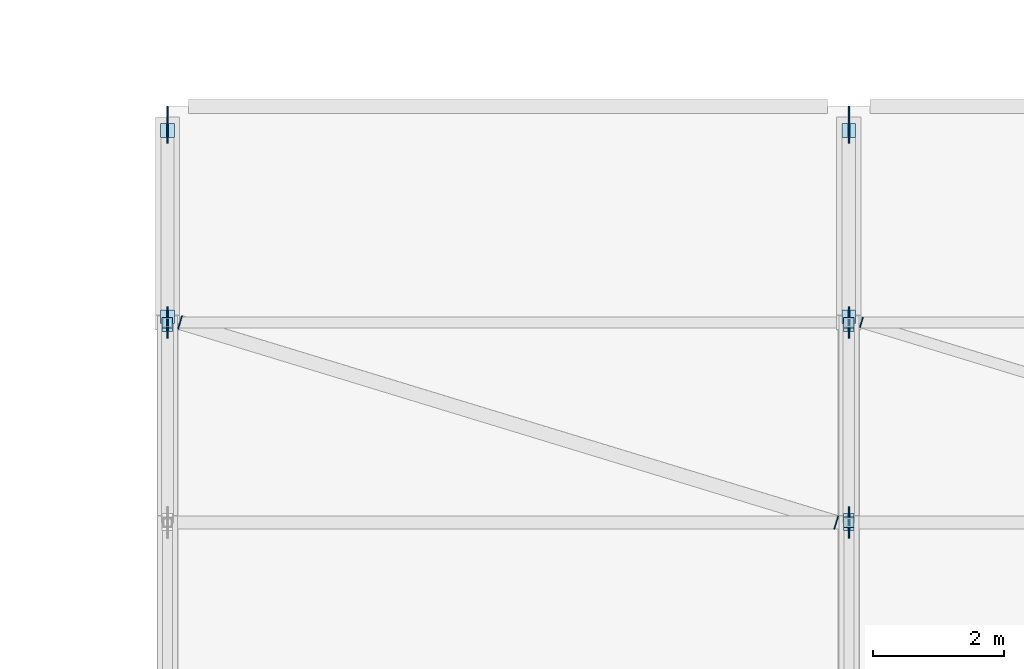
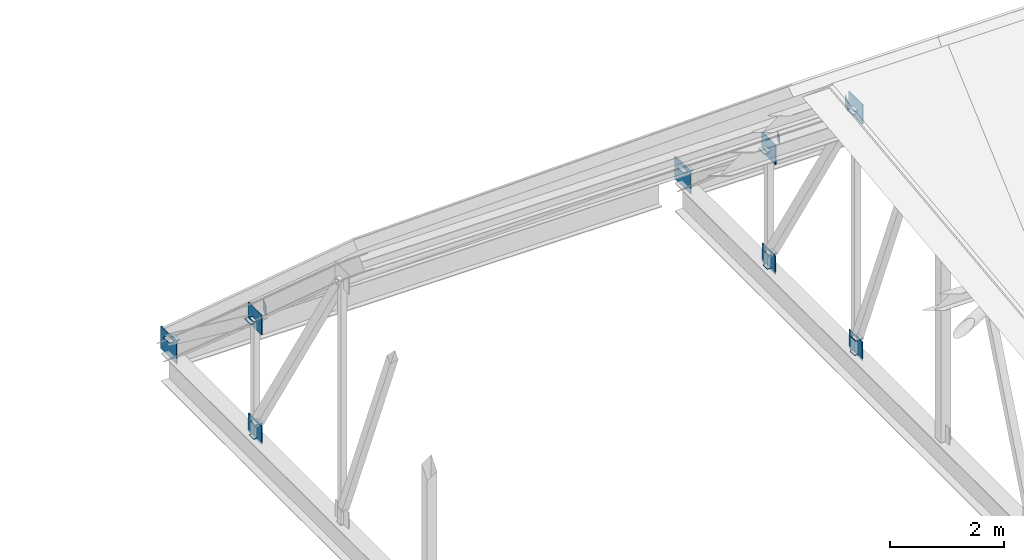
# One storey, part 47 of 86: 25 plates.
"""IFC4 building model written with IfcOpenShell, lengths in metres."""

from ifc_helpers import new_model, si_unit, derived_unit, direction, frame, origin, origin_2d, place, context, subcontext, project, spatial, rectangle, extrude, material, layer, layer_set, type_object, element, save


model = new_model("IFC4")

# Units and contexts
model_context = context("Model", 3, precision=1e-05, world=origin(), true_north=direction((0.0, 1.0)))
body_context = subcontext(model_context, "Body", "Model", "MODEL_VIEW")
ifc_project = project(units=[si_unit("LENGTHUNIT", "METRE"), si_unit("AREAUNIT", "SQUARE_METRE"), si_unit("VOLUMEUNIT", "CUBIC_METRE"), si_unit("PLANEANGLEUNIT", "RADIAN"), si_unit("MASSUNIT", "GRAM", prefix="KILO"), derived_unit("THERMALTRANSMITTANCEUNIT", [(si_unit("POWERUNIT", "WATT"), 1), (si_unit("LENGTHUNIT", "METRE"), -2), (si_unit("THERMODYNAMICTEMPERATUREUNIT", "KELVIN"), -1)])], contexts=[model_context])

# Site, building, storey
site_placement = place(None, origin())
site = spatial("IfcSite", under=ifc_project, at=site_placement, CompositionType="ELEMENT")
building_placement = place(site_placement, origin())
building = spatial("IfcBuilding", under=site, at=building_placement, Name="Braskholm Square Health Centre", CompositionType="ELEMENT")
storey_placement = place(building_placement, frame((0.0, 0.0, 13.5)))
storey = spatial("IfcBuildingStorey", under=building, at=storey_placement, Name="L04", CompositionType="ELEMENT", Elevation=13.5)

# Plates
ifc_material = material(Name="Steel ASTM A572 Grade 50", Category="steel")
ifc_layer_1 = layer(ifc_material, 0.01611328125)
ifc_layer_set_1 = layer_set([ifc_layer_1], Name="Steel ASTM A572 Grade 50")
plate_type_1 = type_object("IfcPlateType", Name="CapPlateHSS152TN8", PredefinedType="USERDEFINED", material=ifc_layer_set_1)
for number, where, z_axis, x_axis, name in (
    (1, (47.60009765625, 103.699951171875, -0.2861328125), (0.0, 0.0, 1.0), (1.0, 0.0, 0.0), "Hollow section end cap plate 0009"),
    (2, (47.60009765625, 103.699951171875, 2.221923828125), (0.0, 0.0, 1.0), (1.0, 0.0, 0.0), "Hollow section end cap plate 0010"),
    (3, (47.60009765625, 103.64111328125, 0.046875), (0.0, 0.0, 1.0), (1.0, 0.0, 0.0), "Hollow section end cap plate 0019"),
    (4, (58.0, 100.64990234375, -0.2861328125), (0.0, 0.0, 1.0), (1.0, 0.0, 0.0), "Hollow section end cap plate 0041"),
    (5, (58.0, 100.64990234375, 4.941162109375), (0.0, 0.0, 1.0), (1.0, 0.0, 0.0), "Hollow section end cap plate 0042"),
    (6, (58.0, 103.699951171875, -0.2861328125), (0.0, 0.0, 1.0), (1.0, 0.0, 0.0), "Hollow section end cap plate 0043"),
    (7, (58.0, 103.699951171875, 2.221923828125), (0.0, 0.0, 1.0), (1.0, 0.0, 0.0), "Hollow section end cap plate 0044"),
    (8, (58.0, 100.60791015625, 0.055908203125), (0.0, 0.0, 1.0), (1.0, 0.0, 0.0), "Hollow section end cap plate 0051"),
    (9, (58.0, 103.64111328125, 0.046875), (0.0, 0.0, 1.0), (1.0, 0.0, 0.0), "Hollow section end cap plate 0053"),
    (10, (58.0, 100.708984375, 4.837890625), (0.0, 0.0, 1.0), (1.0, 0.0, 0.0), "Hollow section end cap plate 0054"),
):
    element("IfcPlate", number, at=place(storey_placement, frame(where, z_axis=z_axis, x_axis=x_axis)), inside=storey, type_object=plate_type_1, Name=name, ObjectType="CAP_PLATE", PredefinedType="USERDEFINED", context=body_context, shape_type="SweptSolid", body=[
        extrude(rectangle(XDim=0.159912109375, YDim=0.159912109375, at=origin_2d()), origin(), (0.0, 0.0, 1.0), 0.01611328125),
    ])
plate_placement = place(storey_placement, frame((58.19189453125, 103.701904296875, 2.322265625), z_axis=(0.0, 0.0, 1.0), x_axis=(0.956498453883, -0.291737395134, 0.0)))
element("IfcPlate", 11, at=plate_placement, inside=storey, type_object=plate_type_1, Name="Hollow section end cap plate 0283", ObjectType="CAP_PLATE", PredefinedType="USERDEFINED", context=body_context, shape_type="SweptSolid", body=[
    extrude(rectangle(XDim=0.01611328125, YDim=0.159912109375, at=origin_2d()), origin(), (0.0, 0.0, 1.0), 0.159912109375),
])
ifc_layer_2 = layer(ifc_material, 0.01611328125)
ifc_layer_set_2 = layer_set([ifc_layer_2], Name="Steel ASTM A572 Grade 50")
plate_type_2 = type_object("IfcPlateType", Name="CapPlateHSS203TN6", PredefinedType="USERDEFINED", material=ifc_layer_set_2)
for number, where, z_axis, x_axis, name in (
    (12, (47.60009765625, 106.6298828125, 0.01904296875), (0.0, 0.0, 1.0), (1.0, 0.0, 0.0), "Hollow section end cap plate 0021"),
    (13, (47.60009765625, 103.7900390625, 2.14697265625), (0.0, 0.0, 1.0), (1.0, 0.0, 0.0), "Hollow section end cap plate 0022"),
    (14, (58.0, 106.6298828125, 0.01904296875), (0.0, 0.0, 1.0), (1.0, 0.0, 0.0), "Hollow section end cap plate 0055"),
    (15, (58.0, 103.7900390625, 2.14697265625), (0.0, 0.0, 1.0), (1.0, 0.0, 0.0), "Hollow section end cap plate 0056"),
):
    element("IfcPlate", number, at=place(storey_placement, frame(where, z_axis=z_axis, x_axis=x_axis)), inside=storey, type_object=plate_type_2, Name=name, ObjectType="CAP_PLATE", PredefinedType="USERDEFINED", context=body_context, shape_type="SweptSolid", body=[
        extrude(rectangle(XDim=0.2099609375, YDim=0.2099609375, at=origin_2d()), origin(), (0.0, 0.0, 1.0), 0.01611328125),
    ])
for number, where, z_axis, x_axis, name in (
    (16, (47.7919921875, 103.701904296875, 2.297119140625), (0.0, 0.0, 1.0), (0.956498453883, -0.291737395134, 0.0), "Hollow section end cap plate 0275"),
    (17, (57.80810546875, 100.64794921875, 5.01611328125), (0.0, 0.0, 1.0), (0.956498453883, -0.291737395134, 0.0), "Hollow section end cap plate 0276"),
):
    element("IfcPlate", number, at=place(storey_placement, frame(where, z_axis=z_axis, x_axis=x_axis)), inside=storey, type_object=plate_type_2, Name=name, ObjectType="CAP_PLATE", PredefinedType="USERDEFINED", context=body_context, shape_type="SweptSolid", body=[
        extrude(rectangle(XDim=0.01611328125, YDim=0.2099609375, at=origin_2d()), origin(), (0.0, 0.0, 1.0), 0.2099609375),
    ])
ifc_layer_3 = layer(ifc_material, 0.02001953125)
ifc_layer_set_3 = layer_set([ifc_layer_3], Name="Steel ASTM A572 Grade 50")
plate_type_3 = type_object("IfcPlateType", Name="NodeGussetBottomPanelTN3", PredefinedType="USERDEFINED", material=ifc_layer_set_3)
for number, where, z_axis, x_axis, name in (
    (18, (47.60009765625, 103.699951171875, -0.320068359375), (0.0, 0.0, 1.0), (1.0, 0.0, 0.0), "Truss node gusset plate 0030"),
    (19, (58.0, 100.64990234375, -0.320068359375), (0.0, 0.0, 1.0), (1.0, 0.0, 0.0), "Truss node gusset plate 0063"),
    (20, (58.0, 103.699951171875, -0.320068359375), (0.0, 0.0, 1.0), (1.0, 0.0, 0.0), "Truss node gusset plate 0064"),
):
    element("IfcPlate", number, at=place(storey_placement, frame(where, z_axis=z_axis, x_axis=x_axis)), inside=storey, type_object=plate_type_3, Name=name, ObjectType="GUSSET_PLATE", PredefinedType="USERDEFINED", context=body_context, shape_type="SweptSolid", body=[
        extrude(rectangle(XDim=0.02001953125, YDim=0.4599609375, at=origin_2d()), origin(), (0.0, 0.0, 1.0), 0.39990234375),
    ])
ifc_layer_4 = layer(ifc_material, 0.02392578125)
ifc_layer_set_4 = layer_set([ifc_layer_4], Name="Steel ASTM A572 Grade 50")
plate_type_4 = type_object("IfcPlateType", Name="NodeGussetHeelTN1", PredefinedType="USERDEFINED", material=ifc_layer_set_4)
for number, where, z_axis, x_axis, name in (
    (21, (47.60009765625, 106.719970703125, -0.39990234375), (0.0, 0.0, 1.0), (1.0, 0.0, 0.0), "Truss node gusset plate 0024"),
    (22, (58.0, 106.719970703125, -0.39990234375), (0.0, 0.0, 1.0), (1.0, 0.0, 0.0), "Truss node gusset plate 0058"),
):
    element("IfcPlate", number, at=place(storey_placement, frame(where, z_axis=z_axis, x_axis=x_axis)), inside=storey, type_object=plate_type_4, Name=name, ObjectType="GUSSET_PLATE", PredefinedType="USERDEFINED", context=body_context, shape_type="SweptSolid", body=[
        extrude(rectangle(XDim=0.02392578125, YDim=0.56005859375, at=origin_2d()), origin(), (0.0, 0.0, 1.0), 0.47998046875),
    ])
ifc_layer_5 = layer(ifc_material, 0.02197265625)
ifc_layer_set_5 = layer_set([ifc_layer_5], Name="Steel ASTM A572 Grade 50")
plate_type_5 = type_object("IfcPlateType", Name="NodeGussetTopPanelTN4", PredefinedType="USERDEFINED", material=ifc_layer_set_5)
for number, where, z_axis, x_axis, name in (
    (23, (47.60009765625, 103.699951171875, 2.031982421875), (0.0, 0.0, 1.0), (1.0, 0.0, 0.0), "Truss node gusset plate 0034"),
    (24, (58.0, 100.64990234375, 4.7509765625), (0.0, 0.0, 1.0), (1.0, 0.0, 0.0), "Truss node gusset plate 0067"),
    (25, (58.0, 103.699951171875, 2.031982421875), (0.0, 0.0, 1.0), (1.0, 0.0, 0.0), "Truss node gusset plate 0068"),
):
    element("IfcPlate", number, at=place(storey_placement, frame(where, z_axis=z_axis, x_axis=x_axis)), inside=storey, type_object=plate_type_5, Name=name, ObjectType="GUSSET_PLATE", PredefinedType="USERDEFINED", context=body_context, shape_type="SweptSolid", body=[
        extrude(rectangle(XDim=0.02197265625, YDim=0.47998046875, at=origin_2d()), origin(), (0.0, 0.0, 1.0), 0.419921875),
    ])

save(model, "model.ifc")
